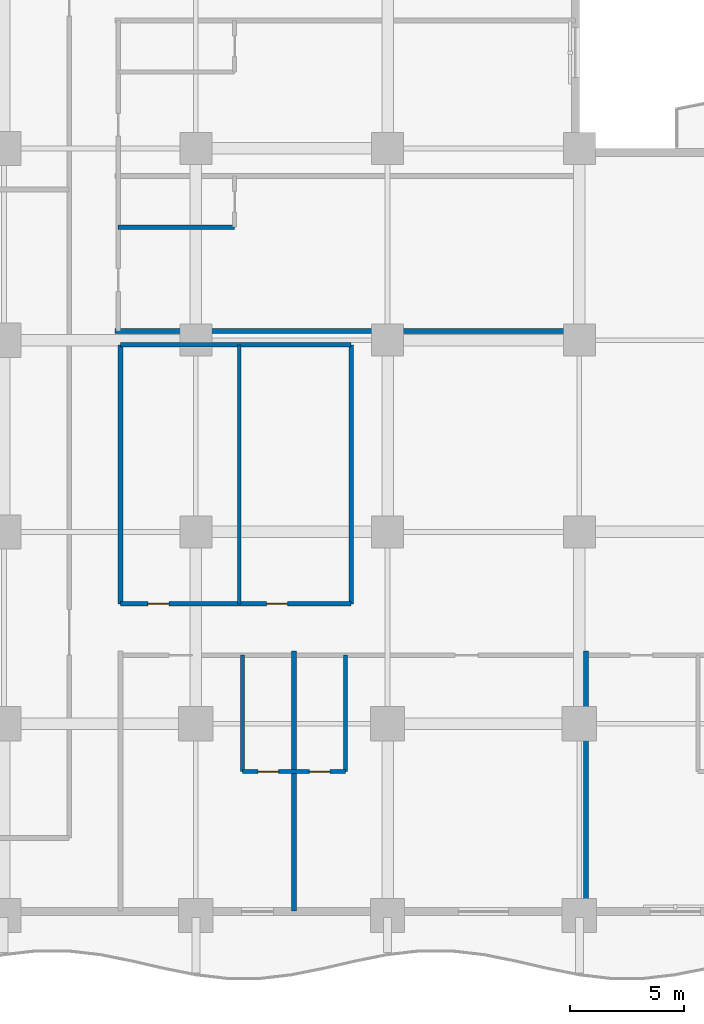
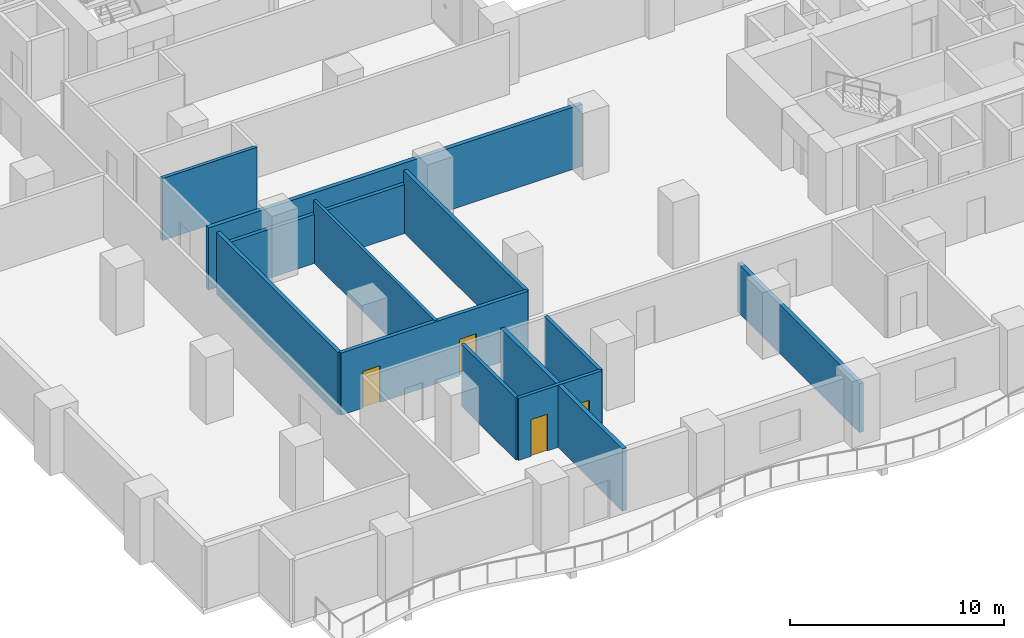
# One storey, part 4 of 20: 12 walls, 4 doors, 4 openings.
"""IFC4 building model written with IfcOpenShell, lengths in metres."""

from ifc_helpers import new_model, si_unit, direction, frame, frame_2d, origin, place, context, subcontext, project, spatial, rectangle, extrude, material, layer, layer_set, type_object, element, fill, save


model = new_model("IFC4")

# Units and contexts
model_context = context("Model", 3, precision=1e-05, world=origin(), true_north=direction((0.0, 1.0)))
body_context = subcontext(model_context, "Body", "Model", "MODEL_VIEW")
ifc_project = project(units=[si_unit("LENGTHUNIT", "METRE"), si_unit("AREAUNIT", "SQUARE_METRE"), si_unit("VOLUMEUNIT", "CUBIC_METRE"), si_unit("PLANEANGLEUNIT", "RADIAN"), si_unit("MASSUNIT", "GRAM", prefix="KILO")], contexts=[model_context])

# Site, building, storey
site_placement = place(None, origin())
site = spatial("IfcSite", under=ifc_project, at=site_placement, CompositionType="ELEMENT")
building_placement = place(site_placement, origin())
building = spatial("IfcBuilding", under=site, at=building_placement, Name="Koriwani Terraces Tower", CompositionType="ELEMENT")
storey_placement = place(building_placement, frame((0.0, 0.0, 58.60009765625)))
storey = spatial("IfcBuildingStorey", under=building, at=storey_placement, Name="L13", CompositionType="ELEMENT", Elevation=58.60009765625)

# Wall, openings, doors
ifc_material_1 = material(Name="Autoclaved Cellular Concrete Blockwork", Category="masonry")
ifc_layer_1 = layer(ifc_material_1, 0.199951171875, Name="Autoclaved Cellular Concrete Blockwork")
ifc_layer_set_1 = layer_set([ifc_layer_1], Name="Autoclaved Cellular Concrete Blockwork")
wall_type_1 = type_object("IfcWallType", Name="WALL_CORRIDOR_200", PredefinedType="PARTITIONING", material=ifc_layer_set_1)
wall_1_placement = place(storey_placement, frame((13.5, 13.64990234375, 0.0), z_axis=(0.0, 0.0, 1.0), x_axis=(1.0, 0.0, 0.0)))
wall_1 = element("IfcWall", 1, at=wall_1_placement, inside=storey, type_object=wall_type_1, Name="L13 Interior Wall WHK-L13-S", PredefinedType="PARTITIONING", context=body_context, shape_type="SweptSolid", body=[
    extrude(rectangle(XDim=10.10009765625, YDim=0.199951171875, at=frame_2d((5.050048828125, 0.0))), origin(), (0.0, 0.0, 1.0), 3.5498046875),
])
opening_1_placement = place(wall_1_placement, frame((1.199951171875, 0.0, 0.0)))
opening_1 = element("IfcOpeningElement", 2, at=opening_1_placement, cuts=wall_1, Name="Opening D-06", PredefinedType="OPENING", context=body_context, shape_type="SweptSolid", body=[
    extrude(rectangle(XDim=0.919921875, YDim=2.10009765625, at=frame_2d((0.4599609375, 1.050048828125))), frame((0.0, 0.10986328125, 0.0), z_axis=(0.0, -1.0, 0.0), x_axis=(1.0, 0.0, 0.0)), (0.0, 0.0, 1.0), 0.219970703125),
])
opening_2_placement = place(wall_1_placement, frame((6.39990234375, 0.0, 0.0)))
opening_2 = element("IfcOpeningElement", 3, at=opening_2_placement, cuts=wall_1, Name="Opening D-06", PredefinedType="OPENING", context=body_context, shape_type="SweptSolid", body=[
    extrude(rectangle(XDim=0.919921875, YDim=2.10009765625, at=frame_2d((0.4599609375, 1.050048828125))), frame((0.0, 0.10986328125, 0.0), z_axis=(0.0, -1.0, 0.0), x_axis=(1.0, 0.0, 0.0)), (0.0, 0.0, 1.0), 0.219970703125),
])
ifc_material_2 = material(Name="Architectural Oak Fire Door", Category="wood")
door_type_1 = type_object("IfcDoorType", Name="DOOR_ROOM_INT_920X2100", OperationType="NOTDEFINED", PredefinedType="DOOR", material=ifc_material_2)
door_1_placement = place(opening_1_placement, origin())
door_1 = element("IfcDoor", 4, at=door_1_placement, inside=storey, type_object=door_type_1, Name="L13 Housekeeping and Linen Room Door", OperationType="SINGLE_SWING_LEFT", OverallHeight=2.10009765625, OverallWidth=0.919921875, PredefinedType="DOOR", context=body_context, shape_type="SweptSolid", body=[
    extrude(rectangle(XDim=0.919921875, YDim=2.10009765625, at=frame_2d((0.4599609375, 1.050048828125))), frame((0.0, 0.02490234375, 0.0), z_axis=(0.0, -1.0, 0.0), x_axis=(1.0, 0.0, 0.0)), (0.0, 0.0, 1.0), 0.050048828125),
])
fill(opening_1, door_1)
door_2_placement = place(opening_2_placement, origin())
door_2 = element("IfcDoor", 5, at=door_2_placement, inside=storey, type_object=door_type_1, Name="L13 Guest Study Lounge Door", OperationType="SINGLE_SWING_RIGHT", OverallHeight=2.10009765625, OverallWidth=0.919921875, PredefinedType="DOOR", context=body_context, shape_type="SweptSolid", body=[
    extrude(rectangle(XDim=0.919921875, YDim=2.10009765625, at=frame_2d((0.4599609375, 1.050048828125))), frame((0.0, 0.02490234375, 0.0), z_axis=(0.0, -1.0, 0.0), x_axis=(1.0, 0.0, 0.0)), (0.0, 0.0, 1.0), 0.050048828125),
])
fill(opening_2, door_2)

# Walls
wall_2_placement = place(storey_placement, frame((13.5, 25.0, 0.0), z_axis=(0.0, 0.0, 1.0), x_axis=(1.0, 0.0, 0.0)))
element("IfcWall", 6, at=wall_2_placement, inside=storey, type_object=wall_type_1, Name="L13 Interior Wall WHK-L13-N", PredefinedType="PARTITIONING", context=body_context, shape_type="SweptSolid", body=[
    extrude(rectangle(XDim=10.10009765625, YDim=0.199951171875, at=frame_2d((5.050048828125, 0.0))), origin(), (0.0, 0.0, 1.0), 2.7998046875),
])
for number, where, z_axis, x_axis, name in (
    (7, (13.5, 13.64990234375, 0.0), (0.0, 0.0, 1.0), (0.0, 1.0, 0.0), "L13 Interior Wall WHK-L13-W"),
    (8, (23.60009765625, 13.64990234375, 0.0), (0.0, 0.0, 1.0), (0.0, 1.0, 0.0), "L13 Interior Wall WHK-L13-E"),
):
    element("IfcWall", number, at=place(storey_placement, frame(where, z_axis=z_axis, x_axis=x_axis)), inside=storey, type_object=wall_type_1, Name=name, PredefinedType="PARTITIONING", context=body_context, shape_type="SweptSolid", body=[
        extrude(rectangle(XDim=11.35009765625, YDim=0.199951171875, at=frame_2d((5.675048828125, 0.0))), origin(), (0.0, 0.0, 1.0), 3.5498046875),
    ])
ifc_layer_2 = layer(ifc_material_1, 0.219970703125, Name="Autoclaved Cellular Concrete Blockwork")
ifc_layer_set_2 = layer_set([ifc_layer_2], Name="Autoclaved Cellular Concrete Blockwork")
wall_type_2 = type_object("IfcWallType", Name="WALL_DEMISING_220", PredefinedType="PARTITIONING", material=ifc_layer_set_2)
wall_3_placement = place(storey_placement, frame((13.25, 25.60009765625, 0.0), z_axis=(0.0, 0.0, 1.0), x_axis=(1.0, 0.0, 0.0)))
element("IfcWall", 9, at=wall_3_placement, inside=storey, type_object=wall_type_2, Name="L13 Interior Wall WDEM-L13-NWI-0", PredefinedType="PARTITIONING", context=body_context, shape_type="SweptSolid", body=[
    extrude(rectangle(XDim=20.179931640625, YDim=0.219970703125, at=frame_2d((10.08984375, 0.0))), origin(), (0.0, 0.0, 1.0), 3.5498046875),
])
wall_4_placement = place(storey_placement, frame((21.10009765625, 0.199951171875, 0.0), z_axis=(0.0, 0.0, 1.0), x_axis=(0.0, 1.0, 0.0)))
element("IfcWall", 10, at=wall_4_placement, inside=storey, type_object=wall_type_2, Name="L13 Interior Wall WDEM-L13-SW-1", PredefinedType="PARTITIONING", context=body_context, shape_type="SweptSolid", body=[
    extrude(rectangle(XDim=11.380126953125, YDim=0.219970703125, at=frame_2d((5.68994140625, 0.0))), origin(), (0.0, 0.0, 1.0), 3.5498046875),
])
wall_5_placement = place(storey_placement, frame((33.89990234375, 0.199951171875, 0.0), z_axis=(0.0, 0.0, 1.0), x_axis=(0.0, 1.0, 0.0)))
element("IfcWall", 11, at=wall_5_placement, inside=storey, type_object=wall_type_2, Name="L13 Interior Wall WDEM-L13-SW-2", PredefinedType="PARTITIONING", context=body_context, shape_type="SweptSolid", body=[
    extrude(rectangle(XDim=11.380126953125, YDim=0.219970703125, at=frame_2d((5.68994140625, 0.0))), origin(), (0.0, 0.0, 1.0), 2.7998046875),
])
ifc_material_3 = material(Name="Fire-Rated Acoustic Gypsum Partition", Category="masonry")
ifc_layer_3 = layer(ifc_material_3, 0.179931640625, Name="Fire-Rated Acoustic Gypsum Partition")
ifc_layer_set_3 = layer_set([ifc_layer_3], Name="Fire-Rated Acoustic Gypsum Partition")
wall_type_3 = type_object("IfcWallType", Name="WALL_PLUMBING_180", PredefinedType="PLUMBINGWALL", material=ifc_layer_set_3)
wall_6_placement = place(storey_placement, frame((13.39990234375, 30.14990234375, 0.0), z_axis=(0.0, 0.0, 1.0), x_axis=(1.0, 0.0, 0.0)))
element("IfcWall", 12, at=wall_6_placement, inside=storey, type_object=wall_type_3, Name="L13 Interior Wall WBTH2-L13-NWI-0", PredefinedType="PLUMBINGWALL", context=body_context, shape_type="SweptSolid", body=[
    extrude(rectangle(XDim=5.10009765625, YDim=0.179931640625, at=frame_2d((2.550048828125, 0.0))), origin(), (0.0, 0.0, 1.0), 3.5498046875),
])

# Wall, openings, doors
wall_7_placement = place(storey_placement, frame((18.85009765625, 6.300048828125, 0.0), z_axis=(0.0, 0.0, 1.0), x_axis=(1.0, 0.0, 0.0)))
wall_7 = element("IfcWall", 13, at=wall_7_placement, inside=storey, type_object=wall_type_3, Name="L13 Interior Wall WBTH1-L13-SW-0", PredefinedType="PLUMBINGWALL", context=body_context, shape_type="SweptSolid", body=[
    extrude(rectangle(XDim=4.5, YDim=0.179931640625, at=frame_2d((2.25, 0.0))), origin(), (0.0, 0.0, 1.0), 3.5498046875),
])
opening_3_placement = place(wall_7_placement, frame((0.675048828125, 0.0, 0.0)))
opening_3 = element("IfcOpeningElement", 14, at=opening_3_placement, cuts=wall_7, Name="Opening D-07", PredefinedType="OPENING", context=body_context, shape_type="SweptSolid", body=[
    extrude(rectangle(XDim=0.89990234375, YDim=2.10009765625, at=frame_2d((0.449951171875, 1.050048828125))), frame((0.0, 0.10009765625, 0.0), z_axis=(0.0, -1.0, 0.0), x_axis=(1.0, 0.0, 0.0)), (0.0, 0.0, 1.0), 0.199951171875),
])
opening_4_placement = place(wall_7_placement, frame((2.925048828125, 0.0, 0.0)))
opening_4 = element("IfcOpeningElement", 15, at=opening_4_placement, cuts=wall_7, Name="Opening D-07", PredefinedType="OPENING", context=body_context, shape_type="SweptSolid", body=[
    extrude(rectangle(XDim=0.89990234375, YDim=2.10009765625, at=frame_2d((0.449951171875, 1.050048828125))), frame((0.0, 0.10009765625, 0.0), z_axis=(0.0, -1.0, 0.0), x_axis=(1.0, 0.0, 0.0)), (0.0, 0.0, 1.0), 0.199951171875),
])
door_type_2 = type_object("IfcDoorType", Name="DOOR_BATH_INT_900X2100", OperationType="NOTDEFINED", PredefinedType="DOOR", material=ifc_material_2)
door_3_placement = place(opening_3_placement, origin())
door_3 = element("IfcDoor", 16, at=door_3_placement, inside=storey, type_object=door_type_2, Name="En-Suite Bathroom 13SW1 Door", OperationType="SINGLE_SWING_RIGHT", OverallHeight=2.10009765625, OverallWidth=0.89990234375, PredefinedType="DOOR", context=body_context, shape_type="SweptSolid", body=[
    extrude(rectangle(XDim=0.89990234375, YDim=2.10009765625, at=frame_2d((0.449951171875, 1.050048828125))), frame((0.0, 0.02490234375, 0.0), z_axis=(0.0, -1.0, 0.0), x_axis=(1.0, 0.0, 0.0)), (0.0, 0.0, 1.0), 0.050048828125),
])
fill(opening_3, door_3)
door_4_placement = place(opening_4_placement, origin())
door_4 = element("IfcDoor", 17, at=door_4_placement, inside=storey, type_object=door_type_2, Name="En-Suite Bathroom 13SW2 Door", OperationType="SINGLE_SWING_RIGHT", OverallHeight=2.10009765625, OverallWidth=0.89990234375, PredefinedType="DOOR", context=body_context, shape_type="SweptSolid", body=[
    extrude(rectangle(XDim=0.89990234375, YDim=2.10009765625, at=frame_2d((0.449951171875, 1.050048828125))), frame((0.0, 0.02490234375, 0.0), z_axis=(0.0, -1.0, 0.0), x_axis=(1.0, 0.0, 0.0)), (0.0, 0.0, 1.0), 0.050048828125),
])
fill(opening_4, door_4)

# Walls
for number, where, z_axis, x_axis, name in (
    (18, (18.85009765625, 6.300048828125, 0.0), (0.0, 0.0, 1.0), (0.0, 1.0, 0.0), "L13 Interior Wall WBTH2-L13-SW-0"),
    (19, (23.35009765625, 6.300048828125, 0.0), (0.0, 0.0, 1.0), (0.0, 1.0, 0.0), "L13 Interior Wall WBTH2-L13-SW-1"),
):
    element("IfcWall", number, at=place(storey_placement, frame(where, z_axis=z_axis, x_axis=x_axis)), inside=storey, type_object=wall_type_3, Name=name, PredefinedType="PLUMBINGWALL", context=body_context, shape_type="SweptSolid", body=[
        extrude(rectangle(XDim=5.099853515625, YDim=0.179931640625, at=frame_2d((2.5498046875, 0.0))), origin(), (0.0, 0.0, 1.0), 3.5498046875),
    ])
ifc_layer_4 = layer(ifc_material_3, 0.159912109375, Name="Fire-Rated Acoustic Gypsum Partition")
ifc_layer_set_4 = layer_set([ifc_layer_4], Name="Fire-Rated Acoustic Gypsum Partition")
wall_type_4 = type_object("IfcWallType", Name="WALL_SUITE_160", PredefinedType="PARTITIONING", material=ifc_layer_set_4)
wall_8_placement = place(storey_placement, frame((18.699951171875, 13.64990234375, 0.0), z_axis=(0.0, 0.0, 1.0), x_axis=(0.0, 1.0, 0.0)))
element("IfcWall", 20, at=wall_8_placement, inside=storey, type_object=wall_type_4, Name="L13 Interior Wall WHK-L13-M", PredefinedType="PARTITIONING", context=body_context, shape_type="SweptSolid", body=[
    extrude(rectangle(XDim=11.35009765625, YDim=0.159912109375, at=frame_2d((5.675048828125, 0.0))), origin(), (0.0, 0.0, 1.0), 3.5498046875),
])

save(model, "model.ifc")
